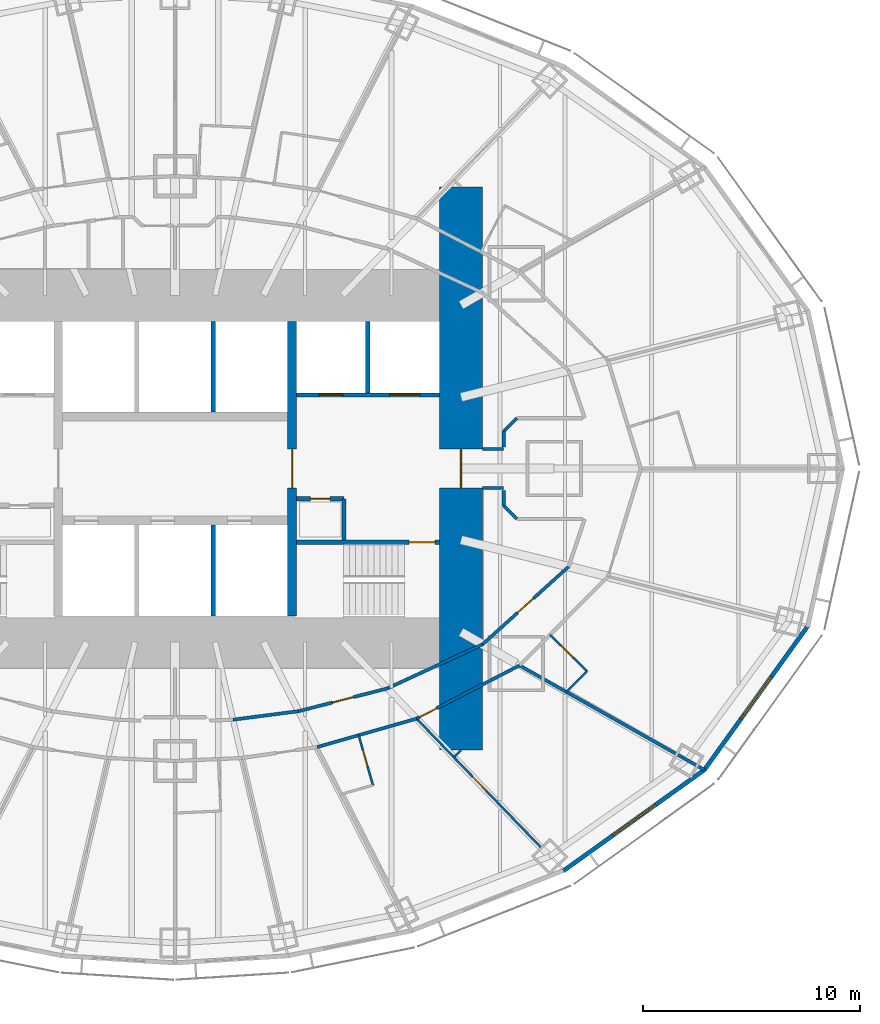
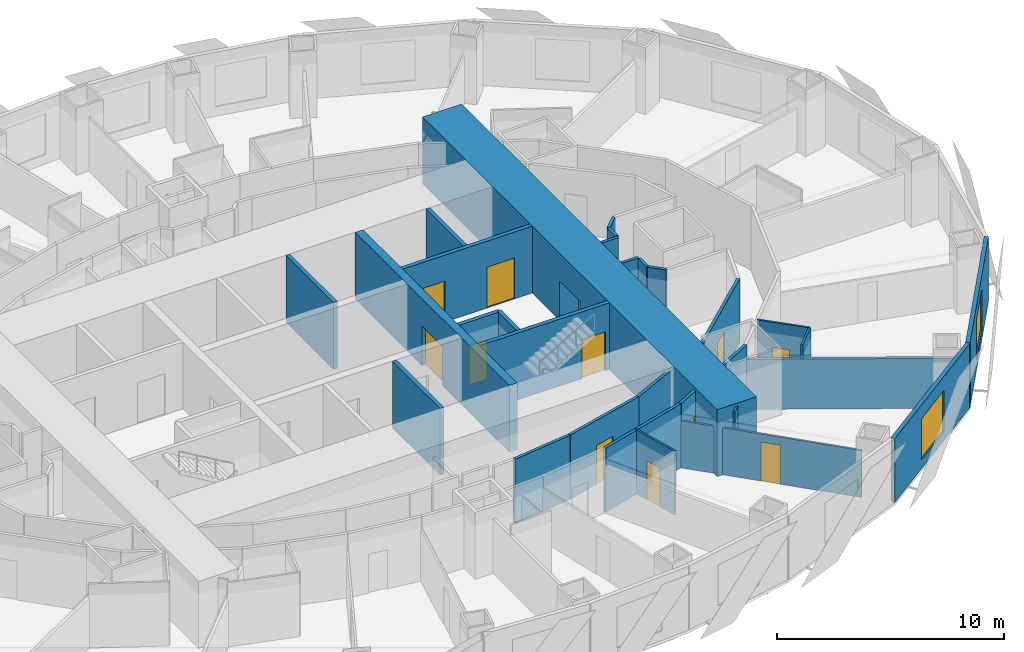
# One storey, part 7 of 15: 29 walls, 12 doors, 2 windows, 14 openings.
"""IFC4 building model written with IfcOpenShell, lengths in metres."""

import ifcopenshell
import ifcopenshell.guid

model = None  # the IFC model being written
_history = None  # IfcOwnerHistory: only IFC2X3 demands one
_inside = {}  # id of a spatial element -> (the spatial element, [elements in it])
_under = {}  # id of a project, library or spatial element -> (it, [spatial elements below it])
_declared = {}  # id of a project -> (the project, [libraries it declares])
_typed = {}  # id of a type object -> (the type object, [elements of that type])
_made_of = {}  # id of a material, layer set ... -> (it, [elements and type objects made of it])


def new_model(schema):
    """Start an empty IFC model of exactly this schema.

    Asked for "IFC4X3", IfcOpenShell would pick the latest addendum, in which some entities
    have other attributes; the version numbers below select the first issue.
    IFC2X3 requires an IfcOwnerHistory on every rooted entity: one is made here for all.
    """
    global model, _history
    if schema == "IFC4X3":
        model = ifcopenshell.file(schema_version=(4, 3, 0, 0))
    else:
        model = ifcopenshell.file(schema=schema)
    _inside.clear()
    _under.clear()
    _declared.clear()
    _typed.clear()
    _made_of.clear()
    _history = None
    if model.schema == "IFC2X3":
        org = make("IfcOrganization", Name="unknown")
        user = make(
            "IfcPersonAndOrganization",
            ThePerson=make("IfcPerson", FamilyName="unknown"),
            TheOrganization=org,
        )
        app = make(
            "IfcApplication",
            ApplicationDeveloper=org,
            Version="unknown",
            ApplicationFullName="unknown",
            ApplicationIdentifier="unknown",
        )
        _history = make(
            "IfcOwnerHistory",
            OwningUser=user,
            OwningApplication=app,
            ChangeAction="ADDED",
            CreationDate=0,
        )
    return model


def make(cls, **values):
    """One entity of the class cls with the attributes given. An attribute that is None is left unset."""
    return model.create_entity(
        cls, **{name: value for name, value in values.items() if value is not None}
    )


def rooted(cls, **values):
    """An entity with a GlobalId (a new one), such as an element, a storey or a relation."""
    return make(cls, GlobalId=ifcopenshell.guid.new(), OwnerHistory=_history, **values)


def si_unit(unit_type, name, prefix=None):
    """IfcSIUnit, for example si_unit("LENGTHUNIT", "METRE", prefix="MILLI")."""
    return make("IfcSIUnit", UnitType=unit_type, Prefix=prefix, Name=name)


def assignment(units):
    """IfcUnitAssignment: the units of a project."""
    return None if units is None else make("IfcUnitAssignment", Units=units)


def point(xyz):
    """IfcCartesianPoint."""
    return None if xyz is None else make("IfcCartesianPoint", Coordinates=xyz)


def direction(xyz):
    """IfcDirection."""
    return None if xyz is None else make("IfcDirection", DirectionRatios=xyz)


def frame(location, z_axis=None, x_axis=None):
    """IfcAxis2Placement3D, a coordinate frame: its origin and axes. An axis left out is left unset."""
    return make(
        "IfcAxis2Placement3D",
        Location=point(location),
        Axis=direction(z_axis),
        RefDirection=direction(x_axis),
    )


def frame_2d(location, x_axis=None):
    """IfcAxis2Placement2D, a coordinate frame in the plane: its origin and x axis."""
    return make(
        "IfcAxis2Placement2D", Location=point(location), RefDirection=direction(x_axis)
    )


def origin():
    """The frame at (0, 0, 0) with its axes left unset."""
    return frame((0.0, 0.0, 0.0))


def place(relative_to, where):
    """IfcLocalPlacement: puts the frame where relative to a parent placement (None: the world)."""
    return make(
        "IfcLocalPlacement", PlacementRelTo=relative_to, RelativePlacement=where
    )


def context(
    kind, dimensions, precision=None, world=None, true_north=None, identifier=None
):
    """IfcGeometricRepresentationContext, for example the 3D "Model" context."""
    return make(
        "IfcGeometricRepresentationContext",
        ContextIdentifier=identifier,
        ContextType=kind,
        CoordinateSpaceDimension=dimensions,
        Precision=precision,
        WorldCoordinateSystem=world,
        TrueNorth=true_north,
    )


def subcontext(parent, identifier, kind, view, scale=None):
    """IfcGeometricRepresentationSubContext, for example "Body" below "Model"."""
    return make(
        "IfcGeometricRepresentationSubContext",
        ContextIdentifier=identifier,
        ContextType=kind,
        ParentContext=parent,
        TargetScale=scale,
        TargetView=view,
    )


def project(units=None, contexts=None):
    """IfcProject with its units and contexts."""
    return rooted(
        "IfcProject",
        Name="project",
        RepresentationContexts=contexts,
        UnitsInContext=assignment(units),
    )


def spatial(cls, under=None, at=None, **own):
    """A site, building, storey or space (cls), placed at a placement, below another one or the project."""
    s = rooted(cls, ObjectPlacement=at, **own)
    if under is not None:
        _under.setdefault(under.id(), (under, []))[1].append(s)
    return s


def profile(cls, at=None, kind="AREA", **sizes):
    """A parametric profile (cls). Its sizes go by their IFC names, for example OverallWidth=200.0."""
    return make(cls, ProfileType=kind, Position=at, **sizes)


def rectangle(**sizes):
    """IfcRectangleProfileDef."""
    return profile("IfcRectangleProfileDef", **sizes)


def extrude(swept, where, along, depth):
    """IfcExtrudedAreaSolid: the profile swept, set in the frame where, extruded along a direction by depth."""
    return make(
        "IfcExtrudedAreaSolid",
        SweptArea=swept,
        Position=where,
        ExtrudedDirection=direction(along),
        Depth=depth,
    )


def shape(context_of_items, identifier, shape_type, items):
    """IfcShapeRepresentation: the items that make up one representation, for example the "Body"."""
    return make(
        "IfcShapeRepresentation",
        ContextOfItems=context_of_items,
        RepresentationIdentifier=identifier,
        RepresentationType=shape_type,
        Items=items,
    )


def material(Name=None, Category=None):
    """IfcMaterial."""
    return make("IfcMaterial", Name=Name, Category=Category)


def layer(
    of_material, thickness, ventilated=None, Name=None, Category=None, Priority=None
):
    """IfcMaterialLayer: one layer of a wall or slab, of a material (None: an air gap)."""
    return make(
        "IfcMaterialLayer",
        Material=of_material,
        LayerThickness=thickness,
        IsVentilated=ventilated,
        Name=Name,
        Category=Category,
        Priority=Priority,
    )


def layer_set(layers, Name=None):
    """IfcMaterialLayerSet."""
    return make("IfcMaterialLayerSet", MaterialLayers=layers, LayerSetName=Name)


def made_of(thing, what):
    """Note that an element or type object is made of a material, layer set ...; save() writes the relation."""
    if what is not None:
        _made_of.setdefault(what.id(), (what, []))[1].append(thing)
    return thing


def type_object(cls, material=None, **own):
    """A type object (cls), such as IfcWallType, which elements share."""
    return made_of(rooted(cls, **own), material)


def element(
    cls,
    number,
    at=None,
    inside=None,
    cuts=None,
    type_object=None,
    material=None,
    context=None,
    identifier="Body",
    shape_type=None,
    held_by="IfcProductDefinitionShape",
    body=None,
    shapes=None,
    **own,
):
    """One element of the class cls, such as IfcWall. Its Tag is "e" and its number.

    at: its placement. inside: the storey or other place that contains it. cuts: it is an
    opening in that element (IfcRelVoidsElement). A single representation is given by context,
    identifier, shape_type and body (its items); several are given by shapes. held_by: the class
    of the entity that holds the representations. save() writes the other relations.
    """
    e = rooted(cls, Tag="e%d" % number, ObjectPlacement=at, **own)
    if body is not None:
        shapes = [shape(context, identifier, shape_type, body)]
    if shapes is not None:
        e.Representation = make(held_by, Representations=shapes)
    if inside is not None:
        _inside.setdefault(inside.id(), (inside, []))[1].append(e)
    if cuts is not None:
        rooted(
            "IfcRelVoidsElement", RelatingBuildingElement=cuts, RelatedOpeningElement=e
        )
    if type_object is not None:
        _typed.setdefault(type_object.id(), (type_object, []))[1].append(e)
    return made_of(e, material)


def fill(opening, filler):
    """IfcRelFillsElement: the door or window that sits in an opening."""
    return rooted(
        "IfcRelFillsElement",
        RelatingOpeningElement=opening,
        RelatedBuildingElement=filler,
    )


def aggregate(whole, parts):
    """IfcRelAggregates: a whole, such as a stair, and the parts it consists of."""
    return rooted("IfcRelAggregates", RelatingObject=whole, RelatedObjects=parts)


def save(model, path):
    """Write the relations noted so far, then the file.

    IfcRelAggregates (storeys below a building ...), IfcRelContainedInSpatialStructure (elements
    in a storey), IfcRelDefinesByType, IfcRelAssociatesMaterial and IfcRelDeclares: one each for
    every whole, place, type object, material and project.
    """
    for whole, parts in _under.values():
        aggregate(whole, parts)
    for where, things in _inside.values():
        rooted(
            "IfcRelContainedInSpatialStructure",
            RelatedElements=things,
            RelatingStructure=where,
        )
    for kind, things in _typed.values():
        rooted("IfcRelDefinesByType", RelatedObjects=things, RelatingType=kind)
    for what, things in _made_of.values():
        rooted("IfcRelAssociatesMaterial", RelatedObjects=things, RelatingMaterial=what)
    for by, libraries in _declared.values():
        rooted("IfcRelDeclares", RelatingContext=by, RelatedDefinitions=libraries)
    model.write(path)


model = new_model("IFC4")

# Units and contexts
model_context = context("Model", 3, precision=1e-05, world=origin(), true_north=direction((0.0, 1.0)))
body_context = subcontext(model_context, "Body", "Model", "MODEL_VIEW")
ifc_project = project(units=[si_unit("LENGTHUNIT", "METRE"), si_unit("AREAUNIT", "SQUARE_METRE"), si_unit("VOLUMEUNIT", "CUBIC_METRE"), si_unit("PLANEANGLEUNIT", "RADIAN"), si_unit("MASSUNIT", "GRAM", prefix="KILO")], contexts=[model_context])

# Site, building, storey
site_placement = place(None, origin())
site = spatial("IfcSite", under=ifc_project, at=site_placement, CompositionType="ELEMENT")
building_placement = place(site_placement, origin())
building = spatial("IfcBuilding", under=site, at=building_placement, Name="Lantaw Convention Tower", CompositionType="ELEMENT")
storey_placement = place(building_placement, frame((0.0, 0.0, 55.0)))
storey = spatial("IfcBuildingStorey", under=building, at=storey_placement, Name="L11", CompositionType="ELEMENT", Elevation=55.0)

# Wall, opening, door
ifc_material_1 = material(Name="Moisture resistant gypsum board on steel studs", Category="steel")
ifc_layer_1 = layer(ifc_material_1, 0.10009765625)
ifc_layer_set_1 = layer_set([ifc_layer_1], Name="Bathroom wall 100")
wall_type_1 = type_object("IfcWallType", Name="Bathroom wall 100", PredefinedType="PARTITIONING", material=ifc_layer_set_1)
wall_1_placement = place(storey_placement, frame((8.474365234375, -12.30810546875, 0.0), z_axis=(0.0, 0.0, 1.0), x_axis=(0.27497640313, -0.961450975205, 0.0)))
wall_1 = element("IfcWall", 1, at=wall_1_placement, inside=storey, type_object=wall_type_1, Name="Bathroom wall 100", PredefinedType="PARTITIONING", context=body_context, shape_type="SweptSolid", body=[
    extrude(rectangle(XDim=2.39990234375, YDim=0.10009765625, at=frame_2d((1.199951171875, 0.0))), origin(), (0.0, 0.0, 1.0), 3.449951171875),
])
opening_1_placement = place(wall_1_placement, frame((0.699951171875, 0.0, 0.0)))
opening_1 = element("IfcOpeningElement", 2, at=opening_1_placement, cuts=wall_1, Name="Opening L11.58", PredefinedType="OPENING", context=body_context, shape_type="SweptSolid", body=[
    extrude(rectangle(XDim=0.800048828125, YDim=2.10009765625, at=frame_2d((0.39990234375, 1.050048828125))), frame((0.0, 0.06005859375, 0.0), z_axis=(0.0, -1.0, 0.0), x_axis=(1.0, 0.0, 0.0)), (0.0, 0.0, 1.0), 0.1201171875),
])
ifc_material_2 = material(Name="Timber", Category="wood")
door_type_1 = type_object("IfcDoorType", Name="Bathroom door 800", OperationType="SINGLE_SWING_LEFT", PredefinedType="DOOR", material=ifc_material_2)
door_1_placement = place(opening_1_placement, origin())
door_1 = element("IfcDoor", 3, at=door_1_placement, inside=storey, type_object=door_type_1, Name="Bathroom door", OperationType="SINGLE_SWING_LEFT", OverallHeight=2.10009765625, OverallWidth=0.800048828125, PredefinedType="DOOR", context=body_context, shape_type="SweptSolid", body=[
    extrude(rectangle(XDim=0.800048828125, YDim=2.10009765625, at=frame_2d((0.39990234375, 1.050048828125))), frame((0.0, 0.02490234375, 0.0), z_axis=(0.0, -1.0, 0.0), x_axis=(1.0, 0.0, 0.0)), (0.0, 0.0, 1.0), 0.050048828125),
])
fill(opening_1, door_1)

wall_2_placement = place(storey_placement, frame((17.311279296875, -7.668212890625, 0.0), z_axis=(0.0, 0.0, 1.0), x_axis=(0.709138392716, -0.705069315724, 0.0)))
wall_2 = element("IfcWall", 4, at=wall_2_placement, inside=storey, type_object=wall_type_1, Name="Bathroom wall 100", PredefinedType="PARTITIONING", context=body_context, shape_type="SweptSolid", body=[
    extrude(rectangle(XDim=2.39990234375, YDim=0.10009765625, at=frame_2d((1.199951171875, 0.0))), origin(), (0.0, 0.0, 1.0), 3.449951171875),
])
opening_2_placement = place(wall_2_placement, frame((0.699951171875, 0.0, 0.0)))
opening_2 = element("IfcOpeningElement", 5, at=opening_2_placement, cuts=wall_2, Name="Opening L11.61", PredefinedType="OPENING", context=body_context, shape_type="SweptSolid", body=[
    extrude(rectangle(XDim=0.800048828125, YDim=2.10009765625, at=frame_2d((0.39990234375, 1.050048828125))), frame((0.0, 0.06005859375, 0.0), z_axis=(0.0, -1.0, 0.0), x_axis=(1.0, 0.0, 0.0)), (0.0, 0.0, 1.0), 0.1201171875),
])
door_2_placement = place(opening_2_placement, origin())
door_2 = element("IfcDoor", 6, at=door_2_placement, inside=storey, type_object=door_type_1, Name="Bathroom door", OperationType="SINGLE_SWING_LEFT", OverallHeight=2.10009765625, OverallWidth=0.800048828125, PredefinedType="DOOR", context=body_context, shape_type="SweptSolid", body=[
    extrude(rectangle(XDim=0.800048828125, YDim=2.10009765625, at=frame_2d((0.39990234375, 1.050048828125))), frame((0.0, 0.02490234375, 0.0), z_axis=(0.0, -1.0, 0.0), x_axis=(1.0, 0.0, 0.0)), (0.0, 0.0, 1.0), 0.050048828125),
])
fill(opening_2, door_2)

# Wall
wall_3_placement = place(storey_placement, frame((19.01318359375, -9.3603515625, 0.0), z_axis=(0.0, 0.0, 1.0), x_axis=(-0.7051187611, -0.709089227633, 0.0)))
element("IfcWall", 7, at=wall_3_placement, inside=storey, type_object=wall_type_1, Name="Bathroom wall 100", PredefinedType="PARTITIONING", context=body_context, shape_type="SweptSolid", body=[
    extrude(rectangle(XDim=1.352783203125, YDim=0.10009765625, at=frame_2d((0.67626953125, 0.0))), origin(), (0.0, 0.0, 1.0), 3.449951171875),
])

# Wall, opening, door
ifc_material_3 = material(Name="Concrete C60/75", Category="concrete")
ifc_layer_2 = layer(ifc_material_3, 0.199951171875)
ifc_layer_set_2 = layer_set([ifc_layer_2], Name="Core wall 200")
wall_type_2 = type_object("IfcWallType", Name="Core wall 200", PredefinedType="SHEAR", material=ifc_layer_set_2)
wall_4_placement = place(storey_placement, frame((5.60009765625, -3.39990234375, 0.0), z_axis=(0.0, 0.0, 1.0), x_axis=(1.0, 0.0, 0.0)))
wall_4 = element("IfcWall", 8, at=wall_4_placement, inside=storey, type_object=wall_type_2, Name="Core wall ES", PredefinedType="SHEAR", context=body_context, shape_type="SweptSolid", body=[
    extrude(rectangle(XDim=6.599853515625, YDim=0.199951171875, at=frame_2d((3.2998046875, 0.0))), origin(), (0.0, 0.0, 1.0), 3.60009765625),
])
opening_3_placement = place(wall_4_placement, frame((5.199951171875, 0.0, 0.0)))
opening_3 = element("IfcOpeningElement", 9, at=opening_3_placement, cuts=wall_4, Name="Opening L11.05", PredefinedType="OPENING", context=body_context, shape_type="SweptSolid", body=[
    extrude(rectangle(XDim=1.199951171875, YDim=2.10009765625, at=frame_2d((0.60009765625, 1.050048828125))), frame((0.0, 0.10986328125, 0.0), z_axis=(0.0, -1.0, 0.0), x_axis=(1.0, 0.0, 0.0)), (0.0, 0.0, 1.0), 0.219970703125),
])
ifc_material_4 = material(Name="Steel, fire rated", Category="steel")
door_type_2 = type_object("IfcDoorType", Name="Stair door FD90", OperationType="SINGLE_SWING_RIGHT", PredefinedType="DOOR", material=ifc_material_4)
door_3_placement = place(opening_3_placement, origin())
door_3 = element("IfcDoor", 10, at=door_3_placement, inside=storey, type_object=door_type_2, Name="Exit stair door", OperationType="SINGLE_SWING_RIGHT", OverallHeight=2.10009765625, OverallWidth=1.199951171875, PredefinedType="DOOR", context=body_context, shape_type="SweptSolid", body=[
    extrude(rectangle(XDim=1.199951171875, YDim=2.10009765625, at=frame_2d((0.60009765625, 1.050048828125))), frame((0.0, 0.02490234375, 0.0), z_axis=(0.0, -1.0, 0.0), x_axis=(1.0, 0.0, 0.0)), (0.0, 0.0, 1.0), 0.050048828125),
])
fill(opening_3, door_3)

ifc_layer_3 = layer(ifc_material_3, 2.0)
ifc_layer_set_3 = layer_set([ifc_layer_3], Name="Core wall 2000")
wall_type_3 = type_object("IfcWallType", Name="Core wall 2000", PredefinedType="SHEAR", material=ifc_layer_set_3)
wall_5_placement = place(storey_placement, frame((13.199951171875, -13.0, 0.0), z_axis=(0.0, 0.0, 1.0), x_axis=(0.0, 1.0, 0.0)))
wall_5 = element("IfcWall", 11, at=wall_5_placement, inside=storey, type_object=wall_type_3, Name="Core wall E", PredefinedType="SHEAR", context=body_context, shape_type="SweptSolid", body=[
    extrude(rectangle(XDim=26.0, YDim=2.0, at=frame_2d((13.0, 0.0))), origin(), (0.0, 0.0, 1.0), 3.60009765625),
])
opening_4_placement = place(wall_5_placement, frame((12.10009765625, 0.0, 0.0)))
opening_4 = element("IfcOpeningElement", 12, at=opening_4_placement, cuts=wall_5, Name="Opening L11.07", PredefinedType="OPENING", context=body_context, shape_type="SweptSolid", body=[
    extrude(rectangle(XDim=1.800048828125, YDim=2.10009765625, at=frame_2d((0.89990234375, 1.050048828125))), frame((0.0, 1.010009765625, 0.0), z_axis=(0.0, -1.0, 0.0), x_axis=(1.0, 0.0, 0.0)), (0.0, 0.0, 1.0), 2.02001953125),
])
door_type_3 = type_object("IfcDoorType", Name="Lobby double door FD90", OperationType="DOUBLE_DOOR_DOUBLE_SWING", PredefinedType="DOOR", material=ifc_material_4)
door_4_placement = place(opening_4_placement, origin())
door_4 = element("IfcDoor", 13, at=door_4_placement, inside=storey, type_object=door_type_3, Name="Firefighting lobby door", OperationType="DOUBLE_DOOR_DOUBLE_SWING", OverallHeight=2.10009765625, OverallWidth=1.800048828125, PredefinedType="DOOR", context=body_context, shape_type="SweptSolid", body=[
    extrude(rectangle(XDim=1.800048828125, YDim=2.10009765625, at=frame_2d((0.89990234375, 1.050048828125))), frame((0.0, 0.02490234375, 0.0), z_axis=(0.0, -1.0, 0.0), x_axis=(1.0, 0.0, 0.0)), (0.0, 0.0, 1.0), 0.050048828125),
])
fill(opening_4, door_4)

ifc_layer_4 = layer(ifc_material_3, 0.39990234375)
ifc_layer_set_4 = layer_set([ifc_layer_4], Name="Core wall 400")
wall_type_4 = type_object("IfcWallType", Name="Core wall 400", PredefinedType="SHEAR", material=ifc_layer_set_4)
wall_6_placement = place(storey_placement, frame((5.39990234375, -6.800048828125, 0.0), z_axis=(0.0, 0.0, 1.0), x_axis=(0.0, 1.0, 0.0)))
wall_6 = element("IfcWall", 14, at=wall_6_placement, inside=storey, type_object=wall_type_4, Name="Core wall XE", PredefinedType="SHEAR", context=body_context, shape_type="SweptSolid", body=[
    extrude(rectangle(XDim=13.60009765625, YDim=0.39990234375, at=frame_2d((6.800048828125, 0.0))), origin(), (0.0, 0.0, 1.0), 3.60009765625),
])
opening_5_placement = place(wall_6_placement, frame((5.89990234375, 0.0, 0.0)))
opening_5 = element("IfcOpeningElement", 15, at=opening_5_placement, cuts=wall_6, Name="Opening L11.03", PredefinedType="OPENING", context=body_context, shape_type="SweptSolid", body=[
    extrude(rectangle(XDim=1.800048828125, YDim=2.10009765625, at=frame_2d((0.89990234375, 1.050048828125))), frame((0.0, 0.2099609375, 0.0), z_axis=(0.0, -1.0, 0.0), x_axis=(1.0, 0.0, 0.0)), (0.0, 0.0, 1.0), 0.419921875),
])
door_5_placement = place(opening_5_placement, origin())
door_5 = element("IfcDoor", 16, at=door_5_placement, inside=storey, type_object=door_type_3, Name="Lift lobby door", OperationType="DOUBLE_DOOR_DOUBLE_SWING", OverallHeight=2.10009765625, OverallWidth=1.800048828125, PredefinedType="DOOR", context=body_context, shape_type="SweptSolid", body=[
    extrude(rectangle(XDim=1.800048828125, YDim=2.10009765625, at=frame_2d((0.89990234375, 1.050048828125))), frame((0.0, 0.02490234375, 0.0), z_axis=(0.0, -1.0, 0.0), x_axis=(1.0, 0.0, 0.0)), (0.0, 0.0, 1.0), 0.050048828125),
])
fill(opening_5, door_5)

# Wall
ifc_material_5 = material(Name="Gypsum board on steel studs, fire rated", Category="steel")
ifc_layer_5 = layer(ifc_material_5, 0.14990234375)
ifc_layer_set_5 = layer_set([ifc_layer_5], Name="Corridor wall 150 EI 60")
wall_type_5 = type_object("IfcWallType", Name="Corridor wall 150 EI 60", PredefinedType="PARTITIONING", material=ifc_layer_set_5)
wall_7_placement = place(storey_placement, frame((6.551513671875, -12.85791015625, 0.0), z_axis=(0.0, 0.0, 1.0), x_axis=(0.961464178199, 0.27493023486, 0.0)))
element("IfcWall", 17, at=wall_7_placement, inside=storey, type_object=wall_type_5, Name="Corridor wall 150", PredefinedType="PARTITIONING", context=body_context, shape_type="SweptSolid", body=[
    extrude(rectangle(XDim=4.7802734375, YDim=0.14990234375, at=frame_2d((2.39013671875, 0.0))), origin(), (0.0, 0.0, 1.0), 3.449951171875),
])

# Wall, opening, door
wall_8_placement = place(storey_placement, frame((11.1474609375, -11.543701171875, 0.0), z_axis=(0.0, 0.0, 1.0), x_axis=(0.888333171507, 0.459199495209, 0.0)))
wall_8 = element("IfcWall", 18, at=wall_8_placement, inside=storey, type_object=wall_type_5, Name="Corridor wall 150", PredefinedType="PARTITIONING", context=body_context, shape_type="SweptSolid", body=[
    extrude(rectangle(XDim=5.351318359375, YDim=0.14990234375, at=frame_2d((2.67578125, 0.0))), origin(), (0.0, 0.0, 1.0), 3.449951171875),
])
opening_6_placement = place(wall_8_placement, frame((0.14990234375, 0.0, 0.0)))
opening_6 = element("IfcOpeningElement", 19, at=opening_6_placement, cuts=wall_8, Name="Opening L11.60", PredefinedType="OPENING", context=body_context, shape_type="SweptSolid", body=[
    extrude(rectangle(XDim=0.89990234375, YDim=2.10009765625, at=frame_2d((0.449951171875, 1.050048828125))), frame((0.0, 0.0849609375, 0.0), z_axis=(0.0, -1.0, 0.0), x_axis=(1.0, 0.0, 0.0)), (0.0, 0.0, 1.0), 0.169921875),
])
door_type_4 = type_object("IfcDoorType", Name="Guest room entrance door FD30S", OperationType="SINGLE_SWING_LEFT", PredefinedType="DOOR", material=ifc_material_4)
door_6_placement = place(opening_6_placement, origin())
door_6 = element("IfcDoor", 20, at=door_6_placement, inside=storey, type_object=door_type_4, Name="Suite entrance door", OperationType="SINGLE_SWING_LEFT", OverallHeight=2.10009765625, OverallWidth=0.89990234375, PredefinedType="DOOR", context=body_context, shape_type="SweptSolid", body=[
    extrude(rectangle(XDim=0.89990234375, YDim=2.10009765625, at=frame_2d((0.449951171875, 1.050048828125))), frame((0.0, 0.02490234375, 0.0), z_axis=(0.0, -1.0, 0.0), x_axis=(1.0, 0.0, 0.0)), (0.0, 0.0, 1.0), 0.050048828125),
])
fill(opening_6, door_6)

# Wall
wall_9_placement = place(storey_placement, frame((2.676025390625, -11.591552734375, 0.0), z_axis=(0.0, 0.0, 1.0), x_axis=(0.99168929531, 0.128655903743, 0.0)))
element("IfcWall", 21, at=wall_9_placement, inside=storey, type_object=wall_type_5, Name="Corridor wall 150", PredefinedType="PARTITIONING", context=body_context, shape_type="SweptSolid", body=[
    extrude(rectangle(XDim=3.05517578125, YDim=0.14990234375, at=frame_2d((1.527587890625, 0.0))), origin(), (0.0, 0.0, 1.0), 3.449951171875),
])

# Wall, opening, door
wall_10_placement = place(storey_placement, frame((5.705810546875, -11.198486328125, 0.0), z_axis=(0.0, 0.0, 1.0), x_axis=(0.968705891355, 0.248211393886, 0.0)))
wall_10 = element("IfcWall", 22, at=wall_10_placement, inside=storey, type_object=wall_type_5, Name="Corridor wall 150", PredefinedType="PARTITIONING", context=body_context, shape_type="SweptSolid", body=[
    extrude(rectangle(XDim=4.2275390625, YDim=0.14990234375, at=frame_2d((2.11376953125, 0.0))), origin(), (0.0, 0.0, 1.0), 3.449951171875),
])
opening_7_placement = place(wall_10_placement, frame((1.61376953125, 0.0, 0.0)))
opening_7 = element("IfcOpeningElement", 23, at=opening_7_placement, cuts=wall_10, Name="Opening L11.26", PredefinedType="OPENING", context=body_context, shape_type="SweptSolid", body=[
    extrude(rectangle(XDim=1.0, YDim=2.10009765625, at=frame_2d((0.5, 1.050048828125))), frame((0.0, 0.0849609375, 0.0), z_axis=(0.0, -1.0, 0.0), x_axis=(1.0, 0.0, 0.0)), (0.0, 0.0, 1.0), 0.169921875),
])
door_type_5 = type_object("IfcDoorType", Name="Service door 1000 FD30", OperationType="SINGLE_SWING_LEFT", PredefinedType="DOOR", material=ifc_material_4)
door_7_placement = place(opening_7_placement, origin())
door_7 = element("IfcDoor", 24, at=door_7_placement, inside=storey, type_object=door_type_5, Name="Room service pantry door", OperationType="SINGLE_SWING_LEFT", OverallHeight=2.10009765625, OverallWidth=1.0, PredefinedType="DOOR", context=body_context, shape_type="SweptSolid", body=[
    extrude(rectangle(XDim=1.0, YDim=2.10009765625, at=frame_2d((0.5, 1.050048828125))), frame((0.0, 0.02490234375, 0.0), z_axis=(0.0, -1.0, 0.0), x_axis=(1.0, 0.0, 0.0)), (0.0, 0.0, 1.0), 0.050048828125),
])
fill(opening_7, door_7)

# Wall
wall_11_placement = place(storey_placement, frame((9.801025390625, -10.149169921875, 0.0), z_axis=(0.0, 0.0, 1.0), x_axis=(0.907279653965, 0.420527798727, 0.0)))
element("IfcWall", 25, at=wall_11_placement, inside=storey, type_object=wall_type_5, Name="Corridor wall 150", PredefinedType="PARTITIONING", context=body_context, shape_type="SweptSolid", body=[
    extrude(rectangle(XDim=4.84423828125, YDim=0.14990234375, at=frame_2d((2.422119140625, 0.0))), origin(), (0.0, 0.0, 1.0), 3.449951171875),
])

# Wall, opening, door
wall_12_placement = place(storey_placement, frame((14.196044921875, -8.112060546875, 0.0), z_axis=(0.0, 0.0, 1.0), x_axis=(0.742194222, 0.670184852731, 0.0)))
wall_12 = element("IfcWall", 26, at=wall_12_placement, inside=storey, type_object=wall_type_5, Name="Corridor wall 150", PredefinedType="PARTITIONING", context=body_context, shape_type="SweptSolid", body=[
    extrude(rectangle(XDim=5.3466796875, YDim=0.14990234375, at=frame_2d((2.67333984375, 0.0))), origin(), (0.0, 0.0, 1.0), 3.449951171875),
])
opening_8_placement = place(wall_12_placement, frame((2.17333984375, 0.0, 0.0)))
opening_8 = element("IfcOpeningElement", 27, at=opening_8_placement, cuts=wall_12, Name="Opening L11.25", PredefinedType="OPENING", context=body_context, shape_type="SweptSolid", body=[
    extrude(rectangle(XDim=1.0, YDim=2.10009765625, at=frame_2d((0.5, 1.050048828125))), frame((0.0, 0.0849609375, 0.0), z_axis=(0.0, -1.0, 0.0), x_axis=(1.0, 0.0, 0.0)), (0.0, 0.0, 1.0), 0.169921875),
])
door_8_placement = place(opening_8_placement, origin())
door_8 = element("IfcDoor", 28, at=door_8_placement, inside=storey, type_object=door_type_5, Name="Room service pantry door", OperationType="SINGLE_SWING_LEFT", OverallHeight=2.10009765625, OverallWidth=1.0, PredefinedType="DOOR", context=body_context, shape_type="SweptSolid", body=[
    extrude(rectangle(XDim=1.0, YDim=2.10009765625, at=frame_2d((0.5, 1.050048828125))), frame((0.0, 0.02490234375, 0.0), z_axis=(0.0, -1.0, 0.0), x_axis=(1.0, 0.0, 0.0)), (0.0, 0.0, 1.0), 0.050048828125),
])
fill(opening_8, door_8)

# Walls
for number, where, z_axis, x_axis, name in (
    (29, (14.199951171875, -0.89990234375, 0.0), (0.0, 0.0, 1.0), (1.0, 0.0, 0.0), "Corridor wall 150"),
    (30, (14.199951171875, 0.89990234375, 0.0), (0.0, 0.0, 1.0), (1.0, 0.0, 0.0), "Corridor wall 150"),
):
    element("IfcWall", number, at=place(storey_placement, frame(where, z_axis=z_axis, x_axis=x_axis)), inside=storey, type_object=wall_type_5, Name=name, PredefinedType="PARTITIONING", context=body_context, shape_type="SweptSolid", body=[
        extrude(rectangle(XDim=0.965087890625, YDim=0.14990234375, at=frame_2d((0.482421875, 0.0))), origin(), (0.0, 0.0, 1.0), 3.449951171875),
    ])
wall_13_placement = place(storey_placement, frame((15.175048828125, 1.003173828125, 0.0), z_axis=(0.0, 0.0, 1.0), x_axis=(0.0, 1.0, 0.0)))
element("IfcWall", 31, at=wall_13_placement, inside=storey, type_object=wall_type_5, Name="Corridor wall 150", PredefinedType="PARTITIONING", context=body_context, shape_type="SweptSolid", body=[
    extrude(rectangle(XDim=0.721435546875, YDim=0.14990234375, at=frame_2d((0.36083984375, 0.0))), origin(), (0.0, 0.0, 1.0), 3.449951171875),
])
wall_14_placement = place(storey_placement, frame((15.175048828125, 1.724609375, 0.0), z_axis=(0.0, 0.0, 1.0), x_axis=(0.707106781187, 0.707106781187, 0.0)))
element("IfcWall", 32, at=wall_14_placement, inside=storey, type_object=wall_type_5, Name="Corridor wall 150", PredefinedType="PARTITIONING", context=body_context, shape_type="SweptSolid", body=[
    extrude(rectangle(XDim=0.84912109375, YDim=0.14990234375, at=frame_2d((0.424560546875, 0.0))), origin(), (0.0, 0.0, 1.0), 3.449951171875),
])
wall_15_placement = place(storey_placement, frame((15.175048828125, -1.724609375, 0.0), z_axis=(0.0, 0.0, 1.0), x_axis=(0.0, 1.0, 0.0)))
element("IfcWall", 33, at=wall_15_placement, inside=storey, type_object=wall_type_5, Name="Corridor wall 150", PredefinedType="PARTITIONING", context=body_context, shape_type="SweptSolid", body=[
    extrude(rectangle(XDim=0.721435546875, YDim=0.14990234375, at=frame_2d((0.36083984375, 0.0))), origin(), (0.0, 0.0, 1.0), 3.449951171875),
])
wall_16_placement = place(storey_placement, frame((15.775390625, -2.324951171875, 0.0), z_axis=(0.0, 0.0, 1.0), x_axis=(-0.707106781187, 0.707106781187, 0.0)))
element("IfcWall", 34, at=wall_16_placement, inside=storey, type_object=wall_type_5, Name="Corridor wall 150", PredefinedType="PARTITIONING", context=body_context, shape_type="SweptSolid", body=[
    extrude(rectangle(XDim=0.84912109375, YDim=0.14990234375, at=frame_2d((0.424560546875, 0.0))), origin(), (0.0, 0.0, 1.0), 3.449951171875),
])

# Wall, opening, window
ifc_material_6 = material(Name="Insulated aluminium panel on steel frame", Category="steel")
ifc_layer_6 = layer(ifc_material_6, 0.199951171875)
ifc_layer_set_6 = layer_set([ifc_layer_6], Name="External wall 200")
wall_type_6 = type_object("IfcWallType", Name="External wall 200", PredefinedType="SOLIDWALL", material=ifc_layer_set_6)
wall_17_placement = place(storey_placement, frame((17.9287109375, -18.57177734375, 0.0), z_axis=(0.0, 0.0, 1.0), x_axis=(0.812791321576, 0.582554948112, 0.0)))
wall_17 = element("IfcWall", 35, at=wall_17_placement, inside=storey, type_object=wall_type_6, Name="Facade panel wall", PredefinedType="SOLIDWALL", context=body_context, shape_type="SweptSolid", body=[
    extrude(rectangle(XDim=8.063232421875, YDim=0.199951171875, at=frame_2d((4.03173828125, 0.0))), origin(), (0.0, 0.0, 1.0), 3.449951171875),
])
opening_9_placement = place(wall_17_placement, frame((2.83154296875, 0.0, 0.5)))
opening_9 = element("IfcOpeningElement", 36, at=opening_9_placement, cuts=wall_17, Name="Opening W1", PredefinedType="OPENING", context=body_context, shape_type="SweptSolid", body=[
    extrude(rectangle(XDim=2.39990234375, YDim=2.199951171875, at=frame_2d((1.199951171875, 1.10009765625))), frame((0.0, 0.10986328125, 0.0), z_axis=(0.0, -1.0, 0.0), x_axis=(1.0, 0.0, 0.0)), (0.0, 0.0, 1.0), 0.219970703125),
])
ifc_material_7 = material(Name="Aluminium frame, clear insulating glass", Category="aluminium")
window_type = type_object("IfcWindowType", Name="Guest room window 2400x2200", PartitioningType="SINGLE_PANEL", PredefinedType="WINDOW", material=ifc_material_7)
window_1_placement = place(opening_9_placement, origin())
window_1 = element("IfcWindow", 37, at=window_1_placement, inside=storey, type_object=window_type, Name="Guest room window", OverallHeight=2.199951171875, OverallWidth=2.39990234375, PartitioningType="SINGLE_PANEL", PredefinedType="WINDOW", context=body_context, shape_type="SweptSolid", body=[
    extrude(rectangle(XDim=2.39990234375, YDim=2.199951171875, at=frame_2d((1.199951171875, 1.10009765625))), frame((0.0, 0.030029296875, 0.0), z_axis=(0.0, -1.0, 0.0), x_axis=(1.0, 0.0, 0.0)), (0.0, 0.0, 1.0), 0.06005859375),
])
fill(opening_9, window_1)

wall_18_placement = place(storey_placement, frame((24.400390625, -13.95654296875, 0.0), z_axis=(0.0, 0.0, 1.0), x_axis=(0.583937613703, 0.811798536155, 0.0)))
wall_18 = element("IfcWall", 38, at=wall_18_placement, inside=storey, type_object=wall_type_6, Name="Facade panel wall", PredefinedType="SOLIDWALL", context=body_context, shape_type="SweptSolid", body=[
    extrude(rectangle(XDim=8.322998046875, YDim=0.199951171875, at=frame_2d((4.16162109375, 0.0))), origin(), (0.0, 0.0, 1.0), 3.449951171875),
])
opening_10_placement = place(wall_18_placement, frame((2.96142578125, 0.0, 0.5)))
opening_10 = element("IfcOpeningElement", 39, at=opening_10_placement, cuts=wall_18, Name="Opening W1", PredefinedType="OPENING", context=body_context, shape_type="SweptSolid", body=[
    extrude(rectangle(XDim=2.39990234375, YDim=2.199951171875, at=frame_2d((1.199951171875, 1.10009765625))), frame((0.0, 0.10986328125, 0.0), z_axis=(0.0, -1.0, 0.0), x_axis=(1.0, 0.0, 0.0)), (0.0, 0.0, 1.0), 0.219970703125),
])
window_2_placement = place(opening_10_placement, origin())
window_2 = element("IfcWindow", 40, at=window_2_placement, inside=storey, type_object=window_type, Name="Guest room window", OverallHeight=2.199951171875, OverallWidth=2.39990234375, PartitioningType="SINGLE_PANEL", PredefinedType="WINDOW", context=body_context, shape_type="SweptSolid", body=[
    extrude(rectangle(XDim=2.39990234375, YDim=2.199951171875, at=frame_2d((1.199951171875, 1.10009765625))), frame((0.0, 0.030029296875, 0.0), z_axis=(0.0, -1.0, 0.0), x_axis=(1.0, 0.0, 0.0)), (0.0, 0.0, 1.0), 0.06005859375),
])
fill(opening_10, window_2)

# Walls
ifc_material_8 = material(Name="Gypsum board on steel studs, acoustic", Category="steel")
ifc_layer_7 = layer(ifc_material_8, 0.14990234375)
ifc_layer_set_7 = layer_set([ifc_layer_7], Name="Guest room party wall 150")
wall_type_7 = type_object("IfcWallType", Name="Guest room party wall 150", PredefinedType="PARTITIONING", material=ifc_layer_set_7)
wall_19_placement = place(storey_placement, frame((24.434814453125, -13.90869140625, 0.0), z_axis=(0.0, 0.0, 1.0), x_axis=(-0.870612006791, 0.491970256856, 0.0)))
element("IfcWall", 41, at=wall_19_placement, inside=storey, type_object=wall_type_7, Name="Guest room party wall 150", PredefinedType="PARTITIONING", context=body_context, shape_type="SweptSolid", body=[
    extrude(rectangle(XDim=9.802001953125, YDim=0.14990234375, at=frame_2d((4.90087890625, 0.0))), origin(), (0.0, 0.0, 1.0), 2.693115234375),
])
ifc_layer_8 = layer(ifc_material_8, 0.10009765625)
ifc_layer_set_8 = layer_set([ifc_layer_8], Name="Office partition 100")
wall_type_8 = type_object("IfcWallType", Name="Office partition 100", PredefinedType="PARTITIONING", material=ifc_layer_set_8)
wall_20_placement = place(storey_placement, frame((13.199951171875, -13.0, 0.0), z_axis=(0.0, 0.0, 1.0), x_axis=(-0.719347134512, -0.69465077562, 0.0)))
element("IfcWall", 42, at=wall_20_placement, inside=storey, type_object=wall_type_8, Name="Office partition 100", PredefinedType="PARTITIONING", context=body_context, shape_type="SweptSolid", body=[
    extrude(rectangle(XDim=0.464599609375, YDim=0.10009765625, at=frame_2d((0.232421875, 0.0))), origin(), (0.0, 0.0, 1.0), 3.449951171875),
])

# Wall, opening, door
ifc_material_9 = material(Name="Concrete blockwork, fire rated", Category="masonry")
ifc_layer_9 = layer(ifc_material_9, 0.199951171875)
ifc_layer_set_9 = layer_set([ifc_layer_9], Name="Plant room wall 200 EI 120")
wall_type_9 = type_object("IfcWallType", Name="Plant room wall 200 EI 120", PredefinedType="SOLIDWALL", material=ifc_layer_set_9)
wall_21_placement = place(storey_placement, frame((5.60009765625, -1.39990234375, 0.0), z_axis=(0.0, 0.0, 1.0), x_axis=(1.0, 0.0, 0.0)))
wall_21 = element("IfcWall", 43, at=wall_21_placement, inside=storey, type_object=wall_type_9, Name="Plant room wall 200", PredefinedType="SOLIDWALL", context=body_context, shape_type="SweptSolid", body=[
    extrude(rectangle(XDim=2.199951171875, YDim=0.199951171875, at=frame_2d((1.10009765625, 0.0))), origin(), (0.0, 0.0, 1.0), 3.449951171875),
])
opening_11_placement = place(wall_21_placement, frame((0.64990234375, 0.0, 0.0)))
opening_11 = element("IfcOpeningElement", 44, at=opening_11_placement, cuts=wall_21, Name="Opening L11.02", PredefinedType="OPENING", context=body_context, shape_type="SweptSolid", body=[
    extrude(rectangle(XDim=0.89990234375, YDim=2.10009765625, at=frame_2d((0.449951171875, 1.050048828125))), frame((0.0, 0.10986328125, 0.0), z_axis=(0.0, -1.0, 0.0), x_axis=(1.0, 0.0, 0.0)), (0.0, 0.0, 1.0), 0.219970703125),
])
door_type_6 = type_object("IfcDoorType", Name="Service door 900 FD60", OperationType="SINGLE_SWING_LEFT", PredefinedType="DOOR", material=ifc_material_4)
door_9_placement = place(opening_11_placement, origin())
door_9 = element("IfcDoor", 45, at=door_9_placement, inside=storey, type_object=door_type_6, Name="Staff WC door", OperationType="SINGLE_SWING_LEFT", OverallHeight=2.10009765625, OverallWidth=0.89990234375, PredefinedType="DOOR", context=body_context, shape_type="SweptSolid", body=[
    extrude(rectangle(XDim=0.89990234375, YDim=2.10009765625, at=frame_2d((0.449951171875, 1.050048828125))), frame((0.0, 0.02490234375, 0.0), z_axis=(0.0, -1.0, 0.0), x_axis=(1.0, 0.0, 0.0)), (0.0, 0.0, 1.0), 0.050048828125),
])
fill(opening_11, door_9)

# Walls
wall_22_placement = place(storey_placement, frame((7.800048828125, -1.39990234375, 0.0), z_axis=(0.0, 0.0, 1.0), x_axis=(0.0, -1.0, 0.0)))
element("IfcWall", 46, at=wall_22_placement, inside=storey, type_object=wall_type_9, Name="Plant room wall 200", PredefinedType="SOLIDWALL", context=body_context, shape_type="SweptSolid", body=[
    extrude(rectangle(XDim=1.900146484375, YDim=0.199951171875, at=frame_2d((0.9501953125, 0.0))), origin(), (0.0, 0.0, 1.0), 3.449951171875),
])
ifc_layer_10 = layer(ifc_material_9, 0.199951171875)
ifc_layer_set_10 = layer_set([ifc_layer_10], Name="Shaft wall 200")
wall_type_10 = type_object("IfcWallType", Name="Shaft wall 200", PredefinedType="SOLIDWALL", material=ifc_layer_set_10)
wall_23_placement = place(storey_placement, frame((1.7666015625, 2.60009765625, 0.0), z_axis=(0.0, 0.0, 1.0), x_axis=(0.0, 1.0, 0.0)))
element("IfcWall", 47, at=wall_23_placement, inside=storey, type_object=wall_type_10, Name="Shaft wall DN2", PredefinedType="SOLIDWALL", context=body_context, shape_type="SweptSolid", body=[
    extrude(rectangle(XDim=4.199951171875, YDim=0.199951171875, at=frame_2d((2.10009765625, 0.0))), origin(), (0.0, 0.0, 1.0), 3.60009765625),
])

# Wall, openings, doors
wall_24_placement = place(storey_placement, frame((12.199951171875, 3.39990234375, 0.0), z_axis=(0.0, 0.0, 1.0), x_axis=(-1.0, 0.0, 0.0)))
wall_24 = element("IfcWall", 48, at=wall_24_placement, inside=storey, type_object=wall_type_10, Name="Shaft wall EN", PredefinedType="SOLIDWALL", context=body_context, shape_type="SweptSolid", body=[
    extrude(rectangle(XDim=6.599853515625, YDim=0.199951171875, at=frame_2d((3.2998046875, 0.0))), origin(), (0.0, 0.0, 1.0), 3.60009765625),
])
opening_12_placement = place(wall_24_placement, frame((4.449951171875, 0.0, 0.0)))
opening_12 = element("IfcOpeningElement", 49, at=opening_12_placement, cuts=wall_24, Name="Opening L11.14", PredefinedType="OPENING", context=body_context, shape_type="SweptSolid", body=[
    extrude(rectangle(XDim=1.10009765625, YDim=2.199951171875, at=frame_2d((0.550048828125, 1.10009765625))), frame((0.0, 0.10986328125, 0.0), z_axis=(0.0, -1.0, 0.0), x_axis=(1.0, 0.0, 0.0)), (0.0, 0.0, 1.0), 0.219970703125),
])
opening_13_placement = place(wall_24_placement, frame((0.89990234375, 0.0, 0.0)))
opening_13 = element("IfcOpeningElement", 50, at=opening_13_placement, cuts=wall_24, Name="Opening L11.15", PredefinedType="OPENING", context=body_context, shape_type="SweptSolid", body=[
    extrude(rectangle(XDim=1.39990234375, YDim=2.199951171875, at=frame_2d((0.699951171875, 1.10009765625))), frame((0.0, 0.10986328125, 0.0), z_axis=(0.0, -1.0, 0.0), x_axis=(1.0, 0.0, 0.0)), (0.0, 0.0, 1.0), 0.219970703125),
])
ifc_material_10 = material(Name="Stainless steel", Category="steel")
door_type_7 = type_object("IfcDoorType", Name="Lift landing door 1100", OperationType="DOUBLE_DOOR_SLIDING", PredefinedType="DOOR", material=ifc_material_10)
door_10_placement = place(opening_12_placement, origin())
door_10 = element("IfcDoor", 51, at=door_10_placement, inside=storey, type_object=door_type_7, Name="Lift landing door FF2", OperationType="DOUBLE_DOOR_SLIDING", OverallHeight=2.199951171875, OverallWidth=1.10009765625, PredefinedType="DOOR", context=body_context, shape_type="SweptSolid", body=[
    extrude(rectangle(XDim=1.10009765625, YDim=2.199951171875, at=frame_2d((0.550048828125, 1.10009765625))), frame((0.0, 0.02490234375, 0.0), z_axis=(0.0, -1.0, 0.0), x_axis=(1.0, 0.0, 0.0)), (0.0, 0.0, 1.0), 0.050048828125),
])
fill(opening_12, door_10)
door_type_8 = type_object("IfcDoorType", Name="Lift landing door 1400", OperationType="DOUBLE_DOOR_SLIDING", PredefinedType="DOOR", material=ifc_material_10)
door_11_placement = place(opening_13_placement, origin())
door_11 = element("IfcDoor", 52, at=door_11_placement, inside=storey, type_object=door_type_8, Name="Lift landing door SV2", OperationType="DOUBLE_DOOR_SLIDING", OverallHeight=2.199951171875, OverallWidth=1.39990234375, PredefinedType="DOOR", context=body_context, shape_type="SweptSolid", body=[
    extrude(rectangle(XDim=1.39990234375, YDim=2.199951171875, at=frame_2d((0.699951171875, 1.10009765625))), frame((0.0, 0.02490234375, 0.0), z_axis=(0.0, -1.0, 0.0), x_axis=(1.0, 0.0, 0.0)), (0.0, 0.0, 1.0), 0.050048828125),
])
fill(opening_13, door_11)

# Walls
wall_25_placement = place(storey_placement, frame((8.89990234375, 3.5, 0.0), z_axis=(0.0, 0.0, 1.0), x_axis=(0.0, 1.0, 0.0)))
element("IfcWall", 53, at=wall_25_placement, inside=storey, type_object=wall_type_10, Name="Shaft wall ED", PredefinedType="SOLIDWALL", context=body_context, shape_type="SweptSolid", body=[
    extrude(rectangle(XDim=3.300048828125, YDim=0.199951171875, at=frame_2d((1.64990234375, 0.0))), origin(), (0.0, 0.0, 1.0), 3.60009765625),
])
ifc_layer_11 = layer(ifc_material_9, 0.199951171875)
ifc_layer_set_11 = layer_set([ifc_layer_11], Name="Shaft wall 200 load-bearing")
wall_type_11 = type_object("IfcWallType", Name="Shaft wall 200 load-bearing", PredefinedType="SOLIDWALL", material=ifc_layer_set_11)
wall_26_placement = place(storey_placement, frame((1.7666015625, -2.60009765625, 0.0), z_axis=(0.0, 0.0, 1.0), x_axis=(0.0, -1.0, 0.0)))
element("IfcWall", 54, at=wall_26_placement, inside=storey, type_object=wall_type_11, Name="Shaft wall DS2", PredefinedType="SOLIDWALL", context=body_context, shape_type="SweptSolid", body=[
    extrude(rectangle(XDim=4.199951171875, YDim=0.199951171875, at=frame_2d((2.10009765625, 0.0))), origin(), (0.0, 0.0, 1.0), 3.60009765625),
])

# Wall, opening, door
ifc_material_11 = material(Name="Gypsum board on steel studs", Category="steel")
ifc_layer_12 = layer(ifc_material_11, 0.10009765625)
ifc_layer_set_12 = layer_set([ifc_layer_12], Name="Suite partition 100")
wall_type_12 = type_object("IfcWallType", Name="Suite partition 100", PredefinedType="PARTITIONING", material=ifc_layer_set_12)
wall_27_placement = place(storey_placement, frame((16.943603515625, -17.54541015625, 0.0), z_axis=(0.0, 0.0, 1.0), x_axis=(-0.694680670522, 0.71931826475, 0.0)))
wall_27 = element("IfcWall", 55, at=wall_27_placement, inside=storey, type_object=wall_type_12, Name="Suite partition 100", PredefinedType="PARTITIONING", context=body_context, shape_type="SweptSolid", body=[
    extrude(rectangle(XDim=8.343505859375, YDim=0.10009765625, at=frame_2d((4.171875, 0.0))), origin(), (0.0, 0.0, 1.0), 2.528076171875),
])
opening_14_placement = place(wall_27_placement, frame((3.7216796875, 0.0, 0.0)))
opening_14 = element("IfcOpeningElement", 56, at=opening_14_placement, cuts=wall_27, Name="Opening L11.59", PredefinedType="OPENING", context=body_context, shape_type="SweptSolid", body=[
    extrude(rectangle(XDim=0.89990234375, YDim=2.10009765625, at=frame_2d((0.449951171875, 1.050048828125))), frame((0.0, 0.06005859375, 0.0), z_axis=(0.0, -1.0, 0.0), x_axis=(1.0, 0.0, 0.0)), (0.0, 0.0, 1.0), 0.1201171875),
])
door_type_9 = type_object("IfcDoorType", Name="Suite door 900", OperationType="SINGLE_SWING_LEFT", PredefinedType="DOOR", material=ifc_material_2)
door_12_placement = place(opening_14_placement, origin())
door_12 = element("IfcDoor", 57, at=door_12_placement, inside=storey, type_object=door_type_9, Name="Bedroom door", OperationType="SINGLE_SWING_LEFT", OverallHeight=2.10009765625, OverallWidth=0.89990234375, PredefinedType="DOOR", context=body_context, shape_type="SweptSolid", body=[
    extrude(rectangle(XDim=0.89990234375, YDim=2.10009765625, at=frame_2d((0.449951171875, 1.050048828125))), frame((0.0, 0.02490234375, 0.0), z_axis=(0.0, -1.0, 0.0), x_axis=(1.0, 0.0, 0.0)), (0.0, 0.0, 1.0), 0.050048828125),
])
fill(opening_14, door_12)

save(model, "model.ifc")
